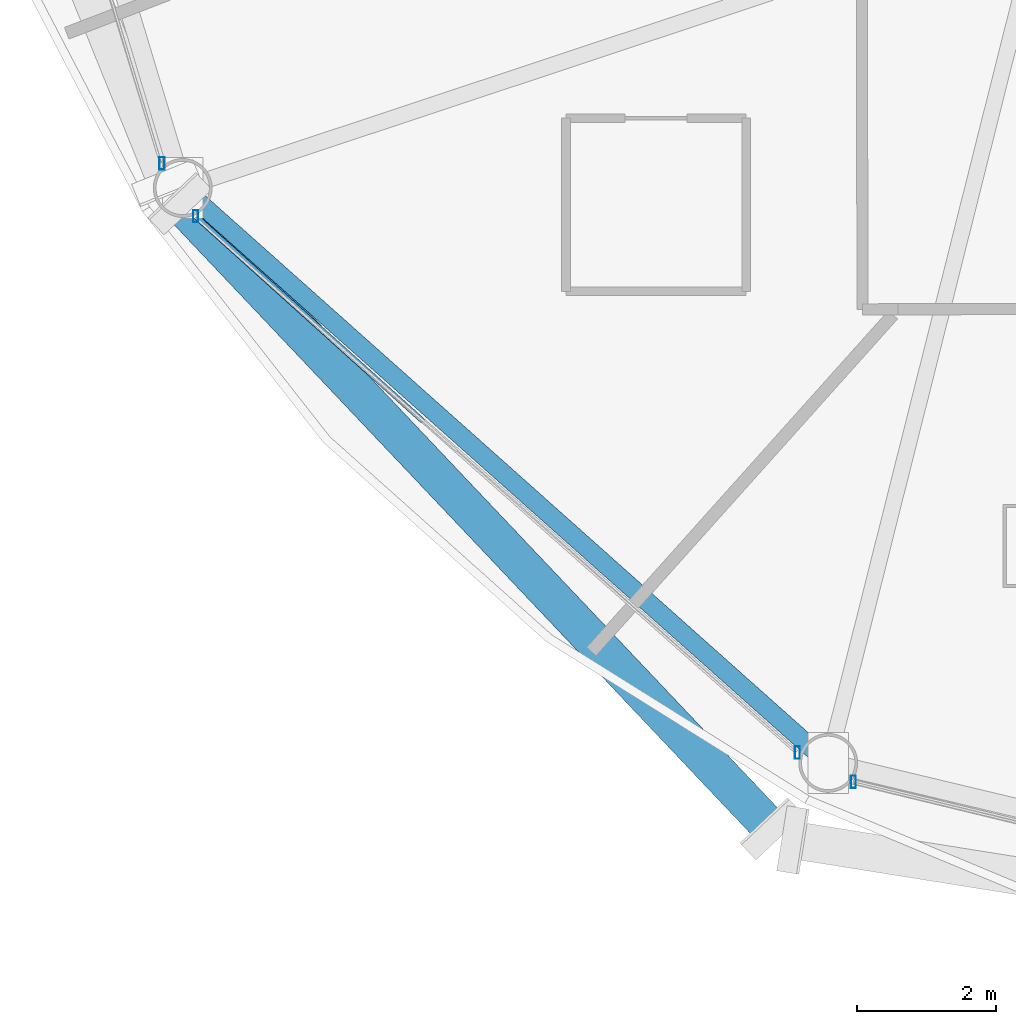
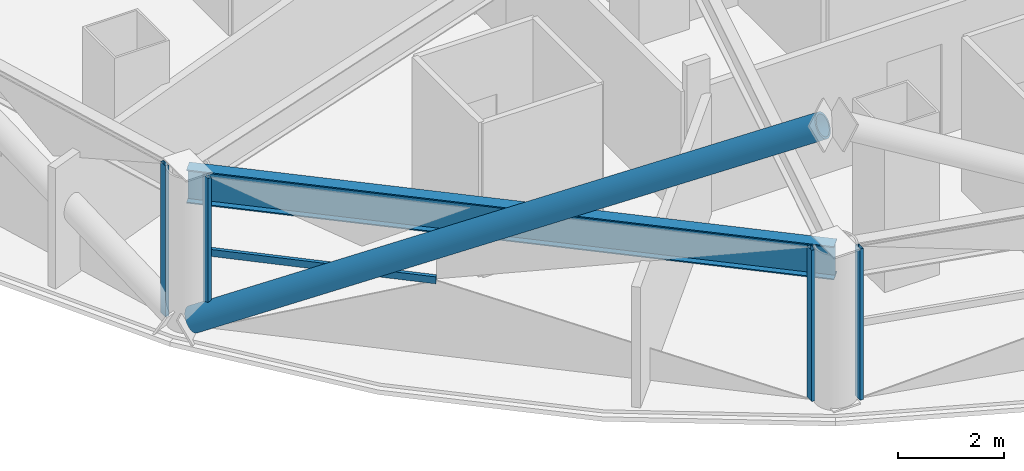
# One storey, part 2 of 31: 6 members, 1 beam, 3 elements without a shape of their own.
"""IFC4 building model written with IfcOpenShell, lengths in metres."""

from ifc_helpers import new_model, si_unit, direction, frame, origin, origin_2d, place, context, subcontext, project, spatial, hollow_rectangle, hollow_circle, i_section, extrude, material, layer, layer_set, material_profile, profile_set, type_object, element, aggregate, save


model = new_model("IFC4")

# Units and contexts
model_context = context("Model", 3, precision=1e-05, world=origin(), true_north=direction((0.0, 1.0)))
body_context = subcontext(model_context, "Body", "Model", "MODEL_VIEW")
ifc_project = project(units=[si_unit("LENGTHUNIT", "METRE"), si_unit("AREAUNIT", "SQUARE_METRE"), si_unit("VOLUMEUNIT", "CUBIC_METRE"), si_unit("PLANEANGLEUNIT", "RADIAN"), si_unit("MASSUNIT", "GRAM", prefix="KILO")], contexts=[model_context])

# Site, building, storey
site_placement = place(None, origin())
site = spatial("IfcSite", under=ifc_project, at=site_placement, CompositionType="ELEMENT")
building_placement = place(site_placement, origin())
building = spatial("IfcBuilding", under=site, at=building_placement, Name="Vantalir Tower", CompositionType="ELEMENT")
storey_placement = place(building_placement, frame((0.0, 0.0, 34.5)))
storey = spatial("IfcBuildingStorey", under=building, at=storey_placement, Name="L07", CompositionType="ELEMENT", Elevation=34.5)

# Beam
ifc_material_1 = material(Name="Steel S460", Category="steel")
ifc_material_profile_1 = material_profile(ifc_material_1, i_section(OverallWidth=0.26806640625, OverallDepth=0.77001953125, WebThickness=0.015625, FlangeThickness=0.025390625, at=origin_2d()), Name="Steel S460")
ifc_profile_set_1 = profile_set([ifc_material_profile_1], Name="Steel S460")
beam_type = type_object("IfcBeamType", Name="BM-RG-762x267", PredefinedType="USERDEFINED", material=ifc_profile_set_1)
beam_placement = place(storey_placement, frame((9.4599609375, 13.66796875, 3.18505859375), z_axis=(0.746774014303, -0.665077868795, 0.0), x_axis=(0.665077868795, 0.746774014303, 0.0)))
element("IfcBeam", 1, at=beam_placement, inside=storey, type_object=beam_type, Name="L07 Circumferential Ring Girder 08", ObjectType="GIRDER", PredefinedType="USERDEFINED", context=body_context, shape_type="SweptSolid", body=[
    extrude(i_section(OverallWidth=0.26806640625, OverallDepth=0.77001953125, WebThickness=0.015625, FlangeThickness=0.025390625, at=origin_2d()), origin(), (0.0, 0.0, 1.0), 12.4736328125),
])

# Curtain wall, member
ifc_material_2 = material(Name="Champagne-silver PVDF aluminium and double-silver Low-E glass", Category="aluminium")
ifc_layer = layer(ifc_material_2, 0.18994140625)
ifc_layer_set = layer_set([ifc_layer], Name="Champagne-silver PVDF aluminium and double-silver Low-E glass")
curtain_wall_type = type_object("IfcCurtainWallType", Name="CW-DIAMOND-Z1", PredefinedType="USERDEFINED", material=ifc_layer_set)
curtain_wall_1_placement = place(storey_placement, origin())
curtain_wall_1 = element("IfcCurtainWall", 2, at=curtain_wall_1_placement, inside=storey, type_object=curtain_wall_type, Name="L07 Quilted Pyramid-Diamond Curtain Wall S07", ObjectType="UNITISED CURTAIN WALL", PredefinedType="USERDEFINED")
ifc_material_3 = material(Name="Champagne-silver PVDF aluminium 6063-T6", Category="aluminium")
ifc_material_profile_2 = material_profile(ifc_material_3, hollow_rectangle(XDim=0.074951171875, YDim=0.179931640625, WallThickness=0.00390625, at=origin_2d()), Name="Champagne-silver PVDF aluminium 6063-T6")
ifc_profile_set_2 = profile_set([ifc_material_profile_2], Name="Champagne-silver PVDF aluminium 6063-T6")
member_type_1 = type_object("IfcMemberType", Name="CWM-180x75", PredefinedType="MULLION", material=ifc_profile_set_2)
member_1_placement = place(storey_placement, frame((9.159912109375, 14.02294921875, 0.044921875), z_axis=(0.0, 0.0, 1.0), x_axis=(1.0, 0.0, 0.0)))
member_1 = element("IfcMember", 3, at=member_1_placement, type_object=member_type_1, Name="CW-L07-S07 Mullion 2", PredefinedType="MULLION", context=body_context, shape_type="SweptSolid", body=[
    extrude(hollow_rectangle(XDim=0.074951171875, YDim=0.179931640625, WallThickness=0.00390625, at=origin_2d()), origin(), (0.0, 0.0, 1.0), 3.47998046875),
])
aggregate(curtain_wall_1, [member_1])

# Curtain wall, members
curtain_wall_2_placement = place(storey_placement, origin())
curtain_wall_2 = element("IfcCurtainWall", 4, at=curtain_wall_2_placement, inside=storey, type_object=curtain_wall_type, Name="L07 Quilted Pyramid-Diamond Curtain Wall S08", ObjectType="UNITISED CURTAIN WALL", PredefinedType="USERDEFINED")
member_2_placement = place(storey_placement, frame((9.64599609375, 13.260009765625, 0.044921875), z_axis=(0.0, 0.0, 1.0), x_axis=(1.0, 0.0, 0.0)))
member_2 = element("IfcMember", 5, at=member_2_placement, type_object=member_type_1, Name="CW-L07-S08 Mullion 1", PredefinedType="MULLION", context=body_context, shape_type="SweptSolid", body=[
    extrude(hollow_rectangle(XDim=0.074951171875, YDim=0.179931640625, WallThickness=0.00390625, at=origin_2d()), origin(), (0.0, 0.0, 1.0), 3.47998046875),
])
member_3_placement = place(storey_placement, frame((18.3291015625, 5.52099609375, 0.044921875), z_axis=(0.0, 0.0, 1.0), x_axis=(1.0, 0.0, 0.0)))
member_3 = element("IfcMember", 6, at=member_3_placement, type_object=member_type_1, Name="CW-L07-S08 Mullion 2", PredefinedType="MULLION", context=body_context, shape_type="SweptSolid", body=[
    extrude(hollow_rectangle(XDim=0.074951171875, YDim=0.179931640625, WallThickness=0.00390625, at=origin_2d()), origin(), (0.0, 0.0, 1.0), 3.47998046875),
])

# Curtain wall, member
curtain_wall_3_placement = place(storey_placement, origin())
curtain_wall_3 = element("IfcCurtainWall", 7, at=curtain_wall_3_placement, inside=storey, type_object=curtain_wall_type, Name="L07 Quilted Pyramid-Diamond Curtain Wall S09", ObjectType="UNITISED CURTAIN WALL", PredefinedType="USERDEFINED")
member_4_placement = place(storey_placement, frame((19.136962890625, 5.09912109375, 0.044921875), z_axis=(0.0, 0.0, 1.0), x_axis=(1.0, 0.0, 0.0)))
member_4 = element("IfcMember", 8, at=member_4_placement, type_object=member_type_1, Name="CW-L07-S09 Mullion 1", PredefinedType="MULLION", context=body_context, shape_type="SweptSolid", body=[
    extrude(hollow_rectangle(XDim=0.074951171875, YDim=0.179931640625, WallThickness=0.00390625, at=origin_2d()), origin(), (0.0, 0.0, 1.0), 3.47998046875),
])
aggregate(curtain_wall_3, [member_4])

# Member
ifc_material_profile_3 = material_profile(ifc_material_3, hollow_rectangle(XDim=0.074951171875, YDim=0.159912109375, WallThickness=0.00390625, at=origin_2d()), Name="Champagne-silver PVDF aluminium 6063-T6")
ifc_profile_set_3 = profile_set([ifc_material_profile_3], Name="Champagne-silver PVDF aluminium 6063-T6")
member_type_2 = type_object("IfcMemberType", Name="CWT-160x75", PredefinedType="USERDEFINED", material=ifc_profile_set_3)
member_5_placement = place(storey_placement, frame((9.64599609375, 13.260009765625, 1.784912109375), z_axis=(0.7429394407, -0.669358638887, 0.0), x_axis=(0.669358638887, 0.7429394407, 0.0)))
member_5 = element("IfcMember", 9, at=member_5_placement, type_object=member_type_2, Name="CW-L07-S08 Pyramid Fold Ridge Transom", ObjectType="TRANSOM", PredefinedType="USERDEFINED", context=body_context, shape_type="SweptSolid", body=[
    extrude(hollow_rectangle(XDim=0.074951171875, YDim=0.159912109375, WallThickness=0.00390625, at=origin_2d()), origin(), (0.0, 0.0, 1.0), 4.416259765625),
])

aggregate(curtain_wall_2, [member_2, member_3, member_5])

ifc_material_profile_4 = material_profile(ifc_material_1, hollow_circle(Radius=0.27001953125, WallThickness=0.044921875, at=origin_2d()), Name="Steel S460")
ifc_profile_set_4 = profile_set([ifc_material_profile_4], Name="Steel S460")
member_type_3 = type_object("IfcMemberType", Name="MEM-DB-540x45", PredefinedType="BRACE", material=ifc_profile_set_4)
member_6_placement = place(storey_placement, frame((9.427001953125, 13.43408203125, 0.18701171875), z_axis=(0.599781300781, -0.633632997243, 0.488642626096), x_axis=(0.726240223192, 0.687441007083, 0.0)))
element("IfcMember", 10, at=member_6_placement, inside=storey, type_object=member_type_3, Name="L07 Perimeter S460 Diagrid Brace R22L", PredefinedType="BRACE", context=body_context, shape_type="SweptSolid", body=[
    extrude(hollow_circle(Radius=0.27001953125, WallThickness=0.044921875, at=origin_2d()), origin(), (0.0, 0.0, 1.0), 14.215087890625),
])

save(model, "model.ifc")
